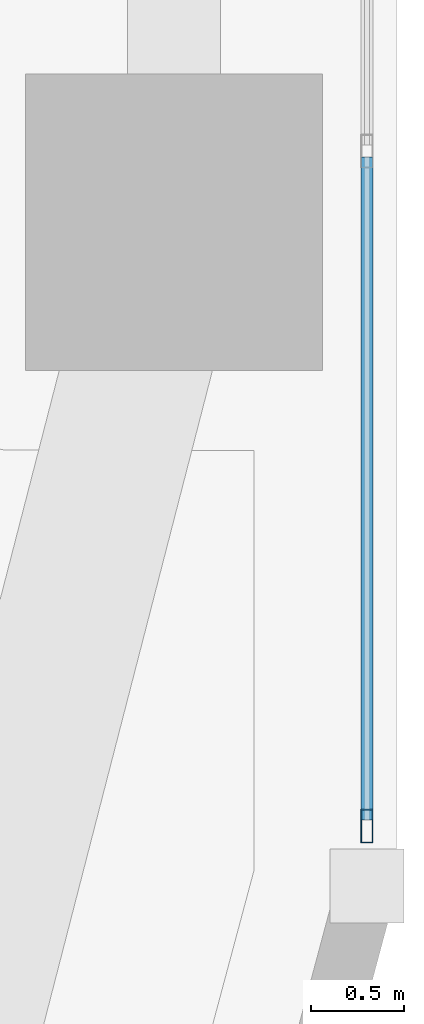
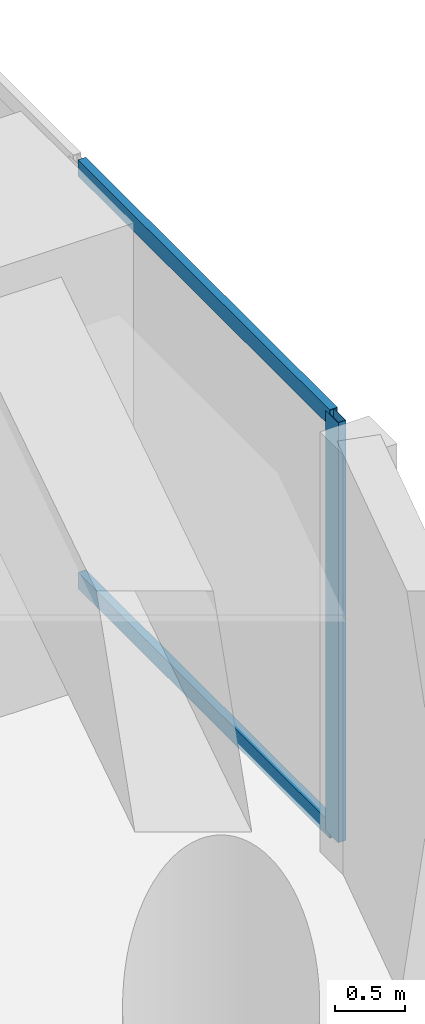
# One storey, part 4 of 29: 3 members, 1 element without a shape of its own.
"""IFC4 building model written with IfcOpenShell, lengths in metres."""

from ifc_helpers import new_model, si_unit, direction, frame, origin, origin_2d, place, context, subcontext, project, spatial, hollow_rectangle, extrude, material, layer, layer_set, material_profile, profile_set, type_object, element, aggregate, save


model = new_model("IFC4")

# Units and contexts
model_context = context("Model", 3, precision=1e-05, world=origin(), true_north=direction((0.0, 1.0)))
body_context = subcontext(model_context, "Body", "Model", "MODEL_VIEW")
ifc_project = project(units=[si_unit("LENGTHUNIT", "METRE"), si_unit("AREAUNIT", "SQUARE_METRE"), si_unit("VOLUMEUNIT", "CUBIC_METRE"), si_unit("PLANEANGLEUNIT", "RADIAN"), si_unit("MASSUNIT", "GRAM", prefix="KILO")], contexts=[model_context])

# Site, building, storey
site_placement = place(None, origin())
site = spatial("IfcSite", under=ifc_project, at=site_placement, CompositionType="ELEMENT")
building_placement = place(site_placement, origin())
building = spatial("IfcBuilding", under=site, at=building_placement, Name="Kiyonajd Concourse Tower", CompositionType="ELEMENT")
storey_placement = place(building_placement, frame((0.0, 0.0, 48.89990234375)))
storey = spatial("IfcBuildingStorey", under=building, at=storey_placement, Name="L13", CompositionType="ELEMENT", Elevation=48.89990234375)

# Curtain wall, members
ifc_material = material(Name="Thermally Broken Anodised Aluminium", Category="aluminium")
ifc_layer = layer(ifc_material, 0.179931640625)
ifc_layer_set = layer_set([ifc_layer], Name="Thermally Broken Anodised Aluminium")
curtain_wall_type = type_object("IfcCurtainWallType", Name="CW-SYS-02", PredefinedType="NOTDEFINED", material=ifc_layer_set)
curtain_wall_placement = place(storey_placement, origin())
curtain_wall = element("IfcCurtainWall", 1, at=curtain_wall_placement, inside=storey, type_object=curtain_wall_type, Name="L13 Unitised Curtain Wall CW2", PredefinedType="NOTDEFINED")
ifc_material_profile_1 = material_profile(ifc_material, hollow_rectangle(XDim=0.06494140625, YDim=0.179931640625, WallThickness=0.00390625, at=origin_2d()), Name="MULL-65x180")
ifc_profile_set_1 = profile_set([ifc_material_profile_1], Name="Thermally Broken Anodised Aluminium")
member_type_1 = type_object("IfcMemberType", Name="MB-CW-MULL1", PredefinedType="MULLION", material=ifc_profile_set_1)
member_1_placement = place(storey_placement, frame((79.0400390625, 15.343505859375, 0.0), z_axis=(0.0, 0.0, 1.0), x_axis=(1.0, 0.0, 0.0)))
member_1 = element("IfcMember", 2, at=member_1_placement, type_object=member_type_1, Name="CW2 mullion 7", PredefinedType="MULLION", context=body_context, shape_type="SweptSolid", body=[
    extrude(hollow_rectangle(XDim=0.06494140625, YDim=0.179931640625, WallThickness=0.00390625, at=origin_2d()), origin(), (0.0, 0.0, 1.0), 3.64013671875),
])
ifc_material_profile_2 = material_profile(ifc_material, hollow_rectangle(XDim=0.06494140625, YDim=0.139892578125, WallThickness=0.00390625, at=origin_2d()), Name="TRAN-65x140")
ifc_profile_set_2 = profile_set([ifc_material_profile_2], Name="Thermally Broken Anodised Aluminium")
member_type_2 = type_object("IfcMemberType", Name="MB-CW-TRAN1", PredefinedType="USERDEFINED", material=ifc_profile_set_2)
member_2_placement = place(storey_placement, frame((79.0400390625, 18.95166015625, 0.03271484375), z_axis=(0.0, -1.0, 0.0), x_axis=(1.0, 0.0, 0.0)))
member_2 = element("IfcMember", 3, at=member_2_placement, type_object=member_type_2, Name="CW2 transom 6.1", ObjectType="TRANSOM", PredefinedType="USERDEFINED", context=body_context, shape_type="SweptSolid", body=[
    extrude(hollow_rectangle(XDim=0.06494140625, YDim=0.139892578125, WallThickness=0.00390625, at=origin_2d()), origin(), (0.0, 0.0, 1.0), 3.575439453125),
])
member_3_placement = place(storey_placement, frame((79.0400390625, 18.95166015625, 3.607666015625), z_axis=(0.0, -1.0, 0.0), x_axis=(1.0, 0.0, 0.0)))
member_3 = element("IfcMember", 4, at=member_3_placement, type_object=member_type_2, Name="CW2 transom 6.2", ObjectType="TRANSOM", PredefinedType="USERDEFINED", context=body_context, shape_type="SweptSolid", body=[
    extrude(hollow_rectangle(XDim=0.06494140625, YDim=0.139892578125, WallThickness=0.00390625, at=origin_2d()), origin(), (0.0, 0.0, 1.0), 3.575439453125),
])
aggregate(curtain_wall, [member_1, member_2, member_3])

save(model, "model.ifc")
